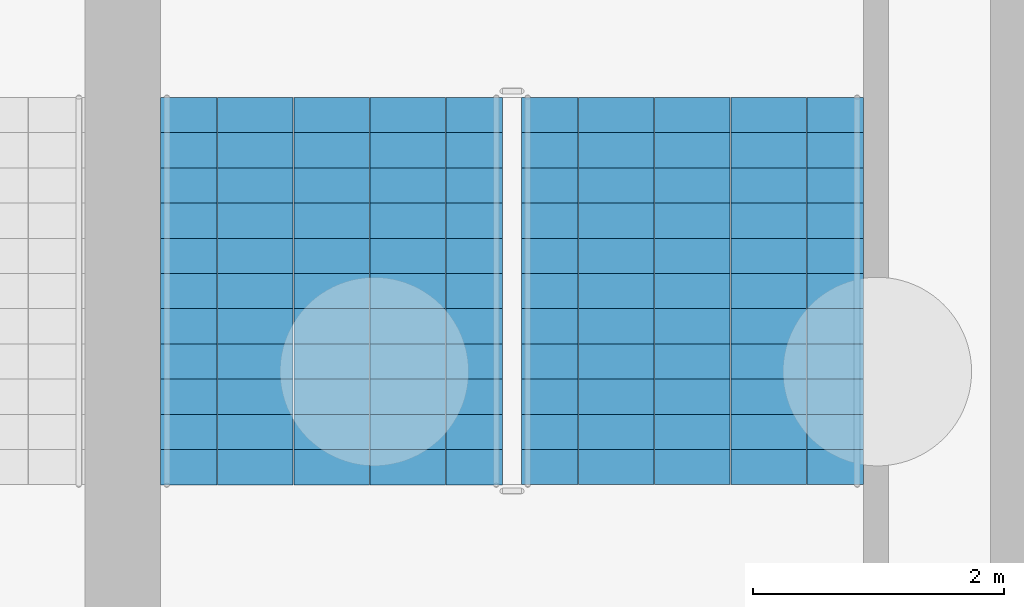
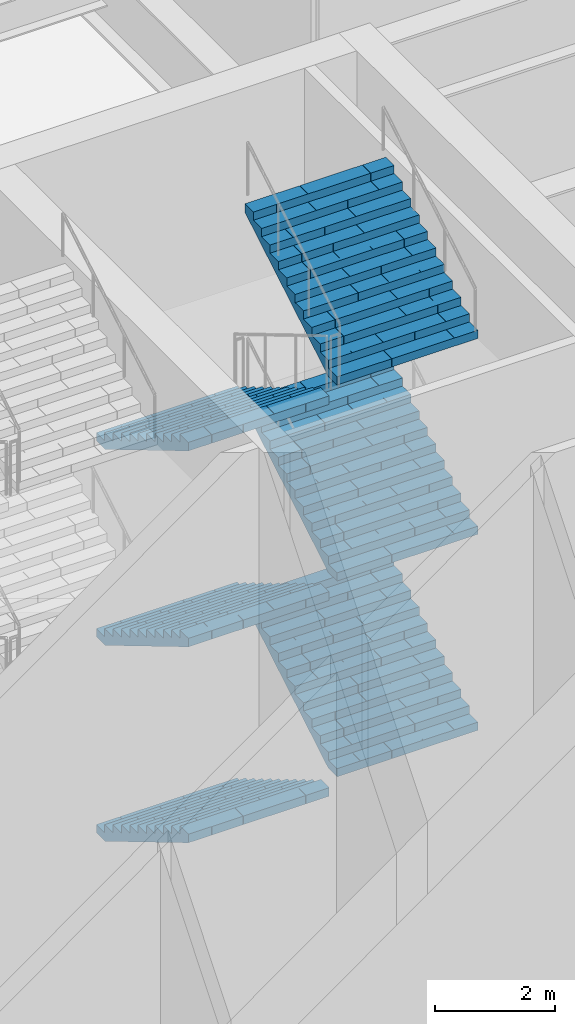
# One storey, part 13 of 34: 6 stair flights, 1 element without a shape of its own.
"""IFC4 building model written with IfcOpenShell, lengths in metres."""

from ifc_helpers import new_model, si_unit, direction, frame, origin, place, context, subcontext, project, spatial, polyline, outline, extrude, material, type_object, element, aggregate, save


model = new_model("IFC4")

# Units and contexts
model_context = context("Model", 3, precision=1e-05, world=origin(), true_north=direction((0.0, 1.0)))
body_context = subcontext(model_context, "Body", "Model", "MODEL_VIEW")
ifc_project = project(units=[si_unit("LENGTHUNIT", "METRE"), si_unit("AREAUNIT", "SQUARE_METRE"), si_unit("VOLUMEUNIT", "CUBIC_METRE"), si_unit("PLANEANGLEUNIT", "RADIAN"), si_unit("MASSUNIT", "GRAM", prefix="KILO")], contexts=[model_context])

# Site, building, storey
site_placement = place(None, origin())
site = spatial("IfcSite", under=ifc_project, at=site_placement, CompositionType="ELEMENT")
building_placement = place(site_placement, origin())
building = spatial("IfcBuilding", under=site, at=building_placement, Name="Corbelhall Arena Tower", CompositionType="ELEMENT")
storey_placement = place(building_placement, origin())
storey = spatial("IfcBuildingStorey", under=building, at=storey_placement, Name="L00", CompositionType="ELEMENT", Elevation=0.0)

# Stair, stair flights
ifc_material = material(Name="Reinforced concrete C40/50", Category="concrete")
stair_type = type_object("IfcStairType", Name="AR-EXIT-STAIR", PredefinedType="HALF_TURN_STAIR", material=ifc_material)
stair_placement = place(storey_placement, origin())
stair = element("IfcStair", 1, at=stair_placement, inside=storey, type_object=stair_type, Name="L00 exit stair AS7", PredefinedType="HALF_TURN_STAIR")
stair_flight_type = type_object("IfcStairFlightType", Name="AR-EXIT-FLIGHT", PredefinedType="STRAIGHT", material=ifc_material)
stair_flight_1_placement = place(storey_placement, frame((-38.840087890625, -27.320068359375, 0.0), z_axis=(0.0, 0.0, 1.0), x_axis=(0.0, -1.0, 0.0)))
stair_flight_1 = element("IfcStairFlight", 2, at=stair_flight_1_placement, type_object=stair_flight_type, Name="AS7 flight 1", NumberOfRisers=12, NumberOfTreads=11, PredefinedType="STRAIGHT", RiserHeight=0.166666667, TreadLength=0.28, context=body_context, shape_type="SweptSolid", body=[
    extrude(outline(polyline([(0.0, 0.0), (0.0, 0.166748046875), (0.280029296875, 0.166748046875), (0.280029296875, 0.333251953125), (0.56005859375, 0.333251953125), (0.56005859375, 0.5), (0.840087890625, 0.5), (0.840087890625, 0.666748046875), (1.1201171875, 0.666748046875), (1.1201171875, 0.833251953125), (1.39990234375, 0.833251953125), (1.39990234375, 1.0), (1.679931640625, 1.0), (1.679931640625, 1.166748046875), (1.9599609375, 1.166748046875), (1.9599609375, 1.333251953125), (2.239990234375, 1.333251953125), (2.239990234375, 1.5), (2.52001953125, 1.5), (2.52001953125, 1.666748046875), (2.800048828125, 1.666748046875), (2.800048828125, 1.833251953125), (3.080078125, 1.833251953125), (3.080078125, 2.0), (3.080078125, 1.658935546875), (0.29296875, 0.0), (0.0, 0.0)])), frame((0.0, 1.35986328125, 0.0), z_axis=(0.0, -1.0, 0.0), x_axis=(1.0, 0.0, 0.0)), (0.0, 0.0, 1.0), 0.449951171875),
    extrude(outline(polyline([(0.0, 0.0), (0.0, 0.166748046875), (0.280029296875, 0.166748046875), (0.280029296875, 0.333251953125), (0.56005859375, 0.333251953125), (0.56005859375, 0.5), (0.840087890625, 0.5), (0.840087890625, 0.666748046875), (1.1201171875, 0.666748046875), (1.1201171875, 0.833251953125), (1.39990234375, 0.833251953125), (1.39990234375, 1.0), (1.679931640625, 1.0), (1.679931640625, 1.166748046875), (1.9599609375, 1.166748046875), (1.9599609375, 1.333251953125), (2.239990234375, 1.333251953125), (2.239990234375, 1.5), (2.52001953125, 1.5), (2.52001953125, 1.666748046875), (2.800048828125, 1.666748046875), (2.800048828125, 1.833251953125), (3.080078125, 1.833251953125), (3.080078125, 2.0), (3.080078125, 1.658935546875), (0.29296875, 0.0), (0.0, 0.0)])), frame((0.0, 0.906005859375, 0.0), z_axis=(0.0, -1.0, 0.0), x_axis=(1.0, 0.0, 0.0)), (0.0, 0.0, 1.0), 0.601318359375),
    extrude(outline(polyline([(0.0, 0.0), (0.0, 0.166748046875), (0.280029296875, 0.166748046875), (0.280029296875, 0.333251953125), (0.56005859375, 0.333251953125), (0.56005859375, 0.5), (0.840087890625, 0.5), (0.840087890625, 0.666748046875), (1.1201171875, 0.666748046875), (1.1201171875, 0.833251953125), (1.39990234375, 0.833251953125), (1.39990234375, 1.0), (1.679931640625, 1.0), (1.679931640625, 1.166748046875), (1.9599609375, 1.166748046875), (1.9599609375, 1.333251953125), (2.239990234375, 1.333251953125), (2.239990234375, 1.5), (2.52001953125, 1.5), (2.52001953125, 1.666748046875), (2.800048828125, 1.666748046875), (2.800048828125, 1.833251953125), (3.080078125, 1.833251953125), (3.080078125, 2.0), (3.080078125, 1.658935546875), (0.29296875, 0.0), (0.0, 0.0)])), frame((0.0, 0.30078125, 0.0), z_axis=(0.0, -1.0, 0.0), x_axis=(1.0, 0.0, 0.0)), (0.0, 0.0, 1.0), 0.601318359375),
    extrude(outline(polyline([(0.0, 0.0), (0.0, 0.166748046875), (0.280029296875, 0.166748046875), (0.280029296875, 0.333251953125), (0.56005859375, 0.333251953125), (0.56005859375, 0.5), (0.840087890625, 0.5), (0.840087890625, 0.666748046875), (1.1201171875, 0.666748046875), (1.1201171875, 0.833251953125), (1.39990234375, 0.833251953125), (1.39990234375, 1.0), (1.679931640625, 1.0), (1.679931640625, 1.166748046875), (1.9599609375, 1.166748046875), (1.9599609375, 1.333251953125), (2.239990234375, 1.333251953125), (2.239990234375, 1.5), (2.52001953125, 1.5), (2.52001953125, 1.666748046875), (2.800048828125, 1.666748046875), (2.800048828125, 1.833251953125), (3.080078125, 1.833251953125), (3.080078125, 2.0), (3.080078125, 1.658935546875), (0.29296875, 0.0), (0.0, 0.0)])), frame((0.0, -0.3046875, 0.0), z_axis=(0.0, -1.0, 0.0), x_axis=(1.0, 0.0, 0.0)), (0.0, 0.0, 1.0), 0.601318359375),
    extrude(outline(polyline([(0.0, 0.0), (0.0, 0.166748046875), (0.280029296875, 0.166748046875), (0.280029296875, 0.333251953125), (0.56005859375, 0.333251953125), (0.56005859375, 0.5), (0.840087890625, 0.5), (0.840087890625, 0.666748046875), (1.1201171875, 0.666748046875), (1.1201171875, 0.833251953125), (1.39990234375, 0.833251953125), (1.39990234375, 1.0), (1.679931640625, 1.0), (1.679931640625, 1.166748046875), (1.9599609375, 1.166748046875), (1.9599609375, 1.333251953125), (2.239990234375, 1.333251953125), (2.239990234375, 1.5), (2.52001953125, 1.5), (2.52001953125, 1.666748046875), (2.800048828125, 1.666748046875), (2.800048828125, 1.833251953125), (3.080078125, 1.833251953125), (3.080078125, 2.0), (3.080078125, 1.658935546875), (0.29296875, 0.0), (0.0, 0.0)])), frame((0.0, -0.909912109375, 0.0), z_axis=(0.0, -1.0, 0.0), x_axis=(1.0, 0.0, 0.0)), (0.0, 0.0, 1.0), 0.449951171875),
])
stair_flight_2_placement = place(storey_placement, frame((-35.969970703125, -30.39990234375, 2.0), z_axis=(0.0, 0.0, 1.0), x_axis=(0.0, 1.0, 0.0)))
stair_flight_2 = element("IfcStairFlight", 3, at=stair_flight_2_placement, type_object=stair_flight_type, Name="AS7 flight 2", NumberOfRisers=12, NumberOfTreads=11, PredefinedType="STRAIGHT", RiserHeight=0.166666667, TreadLength=0.28, context=body_context, shape_type="SweptSolid", body=[
    extrude(outline(polyline([(0.0, 0.0), (0.0, 0.166748046875), (0.280029296875, 0.166748046875), (0.280029296875, 0.333251953125), (0.56005859375, 0.333251953125), (0.56005859375, 0.5), (0.840087890625, 0.5), (0.840087890625, 0.666748046875), (1.1201171875, 0.666748046875), (1.1201171875, 0.833251953125), (1.39990234375, 0.833251953125), (1.39990234375, 1.0), (1.679931640625, 1.0), (1.679931640625, 1.166748046875), (1.9599609375, 1.166748046875), (1.9599609375, 1.333251953125), (2.239990234375, 1.333251953125), (2.239990234375, 1.5), (2.52001953125, 1.5), (2.52001953125, 1.666748046875), (2.800048828125, 1.666748046875), (2.800048828125, 1.833251953125), (3.080078125, 1.833251953125), (3.080078125, 2.0), (3.080078125, 1.658935546875), (0.29296875, 0.0), (0.0, 0.0)])), frame((0.0, 1.35986328125, 0.0), z_axis=(0.0, -1.0, 0.0), x_axis=(1.0, 0.0, 0.0)), (0.0, 0.0, 1.0), 0.449951171875),
    extrude(outline(polyline([(0.0, 0.0), (0.0, 0.166748046875), (0.280029296875, 0.166748046875), (0.280029296875, 0.333251953125), (0.56005859375, 0.333251953125), (0.56005859375, 0.5), (0.840087890625, 0.5), (0.840087890625, 0.666748046875), (1.1201171875, 0.666748046875), (1.1201171875, 0.833251953125), (1.39990234375, 0.833251953125), (1.39990234375, 1.0), (1.679931640625, 1.0), (1.679931640625, 1.166748046875), (1.9599609375, 1.166748046875), (1.9599609375, 1.333251953125), (2.239990234375, 1.333251953125), (2.239990234375, 1.5), (2.52001953125, 1.5), (2.52001953125, 1.666748046875), (2.800048828125, 1.666748046875), (2.800048828125, 1.833251953125), (3.080078125, 1.833251953125), (3.080078125, 2.0), (3.080078125, 1.658935546875), (0.29296875, 0.0), (0.0, 0.0)])), frame((0.0, 0.906005859375, 0.0), z_axis=(0.0, -1.0, 0.0), x_axis=(1.0, 0.0, 0.0)), (0.0, 0.0, 1.0), 0.601318359375),
    extrude(outline(polyline([(0.0, 0.0), (0.0, 0.166748046875), (0.280029296875, 0.166748046875), (0.280029296875, 0.333251953125), (0.56005859375, 0.333251953125), (0.56005859375, 0.5), (0.840087890625, 0.5), (0.840087890625, 0.666748046875), (1.1201171875, 0.666748046875), (1.1201171875, 0.833251953125), (1.39990234375, 0.833251953125), (1.39990234375, 1.0), (1.679931640625, 1.0), (1.679931640625, 1.166748046875), (1.9599609375, 1.166748046875), (1.9599609375, 1.333251953125), (2.239990234375, 1.333251953125), (2.239990234375, 1.5), (2.52001953125, 1.5), (2.52001953125, 1.666748046875), (2.800048828125, 1.666748046875), (2.800048828125, 1.833251953125), (3.080078125, 1.833251953125), (3.080078125, 2.0), (3.080078125, 1.658935546875), (0.29296875, 0.0), (0.0, 0.0)])), frame((0.0, 0.30078125, 0.0), z_axis=(0.0, -1.0, 0.0), x_axis=(1.0, 0.0, 0.0)), (0.0, 0.0, 1.0), 0.601318359375),
    extrude(outline(polyline([(0.0, 0.0), (0.0, 0.166748046875), (0.280029296875, 0.166748046875), (0.280029296875, 0.333251953125), (0.56005859375, 0.333251953125), (0.56005859375, 0.5), (0.840087890625, 0.5), (0.840087890625, 0.666748046875), (1.1201171875, 0.666748046875), (1.1201171875, 0.833251953125), (1.39990234375, 0.833251953125), (1.39990234375, 1.0), (1.679931640625, 1.0), (1.679931640625, 1.166748046875), (1.9599609375, 1.166748046875), (1.9599609375, 1.333251953125), (2.239990234375, 1.333251953125), (2.239990234375, 1.5), (2.52001953125, 1.5), (2.52001953125, 1.666748046875), (2.800048828125, 1.666748046875), (2.800048828125, 1.833251953125), (3.080078125, 1.833251953125), (3.080078125, 2.0), (3.080078125, 1.658935546875), (0.29296875, 0.0), (0.0, 0.0)])), frame((0.0, -0.3046875, 0.0), z_axis=(0.0, -1.0, 0.0), x_axis=(1.0, 0.0, 0.0)), (0.0, 0.0, 1.0), 0.601318359375),
    extrude(outline(polyline([(0.0, 0.0), (0.0, 0.166748046875), (0.280029296875, 0.166748046875), (0.280029296875, 0.333251953125), (0.56005859375, 0.333251953125), (0.56005859375, 0.5), (0.840087890625, 0.5), (0.840087890625, 0.666748046875), (1.1201171875, 0.666748046875), (1.1201171875, 0.833251953125), (1.39990234375, 0.833251953125), (1.39990234375, 1.0), (1.679931640625, 1.0), (1.679931640625, 1.166748046875), (1.9599609375, 1.166748046875), (1.9599609375, 1.333251953125), (2.239990234375, 1.333251953125), (2.239990234375, 1.5), (2.52001953125, 1.5), (2.52001953125, 1.666748046875), (2.800048828125, 1.666748046875), (2.800048828125, 1.833251953125), (3.080078125, 1.833251953125), (3.080078125, 2.0), (3.080078125, 1.658935546875), (0.29296875, 0.0), (0.0, 0.0)])), frame((0.0, -0.909912109375, 0.0), z_axis=(0.0, -1.0, 0.0), x_axis=(1.0, 0.0, 0.0)), (0.0, 0.0, 1.0), 0.449951171875),
])
stair_flight_3_placement = place(storey_placement, frame((-38.840087890625, -27.320068359375, 4.0), z_axis=(0.0, 0.0, 1.0), x_axis=(0.0, -1.0, 0.0)))
stair_flight_3 = element("IfcStairFlight", 4, at=stair_flight_3_placement, type_object=stair_flight_type, Name="AS7 flight 3", NumberOfRisers=12, NumberOfTreads=11, PredefinedType="STRAIGHT", RiserHeight=0.166666667, TreadLength=0.28, context=body_context, shape_type="SweptSolid", body=[
    extrude(outline(polyline([(0.0, 0.0), (0.0, 0.166748046875), (0.280029296875, 0.166748046875), (0.280029296875, 0.333251953125), (0.56005859375, 0.333251953125), (0.56005859375, 0.5), (0.840087890625, 0.5), (0.840087890625, 0.666748046875), (1.1201171875, 0.666748046875), (1.1201171875, 0.833251953125), (1.39990234375, 0.833251953125), (1.39990234375, 1.0), (1.679931640625, 1.0), (1.679931640625, 1.166748046875), (1.9599609375, 1.166748046875), (1.9599609375, 1.333251953125), (2.239990234375, 1.333251953125), (2.239990234375, 1.5), (2.52001953125, 1.5), (2.52001953125, 1.666748046875), (2.800048828125, 1.666748046875), (2.800048828125, 1.833251953125), (3.080078125, 1.833251953125), (3.080078125, 2.0), (3.080078125, 1.658935546875), (0.29296875, 0.0), (0.0, 0.0)])), frame((0.0, 1.35986328125, 0.0), z_axis=(0.0, -1.0, 0.0), x_axis=(1.0, 0.0, 0.0)), (0.0, 0.0, 1.0), 0.449951171875),
    extrude(outline(polyline([(0.0, 0.0), (0.0, 0.166748046875), (0.280029296875, 0.166748046875), (0.280029296875, 0.333251953125), (0.56005859375, 0.333251953125), (0.56005859375, 0.5), (0.840087890625, 0.5), (0.840087890625, 0.666748046875), (1.1201171875, 0.666748046875), (1.1201171875, 0.833251953125), (1.39990234375, 0.833251953125), (1.39990234375, 1.0), (1.679931640625, 1.0), (1.679931640625, 1.166748046875), (1.9599609375, 1.166748046875), (1.9599609375, 1.333251953125), (2.239990234375, 1.333251953125), (2.239990234375, 1.5), (2.52001953125, 1.5), (2.52001953125, 1.666748046875), (2.800048828125, 1.666748046875), (2.800048828125, 1.833251953125), (3.080078125, 1.833251953125), (3.080078125, 2.0), (3.080078125, 1.658935546875), (0.29296875, 0.0), (0.0, 0.0)])), frame((0.0, 0.906005859375, 0.0), z_axis=(0.0, -1.0, 0.0), x_axis=(1.0, 0.0, 0.0)), (0.0, 0.0, 1.0), 0.601318359375),
    extrude(outline(polyline([(0.0, 0.0), (0.0, 0.166748046875), (0.280029296875, 0.166748046875), (0.280029296875, 0.333251953125), (0.56005859375, 0.333251953125), (0.56005859375, 0.5), (0.840087890625, 0.5), (0.840087890625, 0.666748046875), (1.1201171875, 0.666748046875), (1.1201171875, 0.833251953125), (1.39990234375, 0.833251953125), (1.39990234375, 1.0), (1.679931640625, 1.0), (1.679931640625, 1.166748046875), (1.9599609375, 1.166748046875), (1.9599609375, 1.333251953125), (2.239990234375, 1.333251953125), (2.239990234375, 1.5), (2.52001953125, 1.5), (2.52001953125, 1.666748046875), (2.800048828125, 1.666748046875), (2.800048828125, 1.833251953125), (3.080078125, 1.833251953125), (3.080078125, 2.0), (3.080078125, 1.658935546875), (0.29296875, 0.0), (0.0, 0.0)])), frame((0.0, 0.30078125, 0.0), z_axis=(0.0, -1.0, 0.0), x_axis=(1.0, 0.0, 0.0)), (0.0, 0.0, 1.0), 0.601318359375),
    extrude(outline(polyline([(0.0, 0.0), (0.0, 0.166748046875), (0.280029296875, 0.166748046875), (0.280029296875, 0.333251953125), (0.56005859375, 0.333251953125), (0.56005859375, 0.5), (0.840087890625, 0.5), (0.840087890625, 0.666748046875), (1.1201171875, 0.666748046875), (1.1201171875, 0.833251953125), (1.39990234375, 0.833251953125), (1.39990234375, 1.0), (1.679931640625, 1.0), (1.679931640625, 1.166748046875), (1.9599609375, 1.166748046875), (1.9599609375, 1.333251953125), (2.239990234375, 1.333251953125), (2.239990234375, 1.5), (2.52001953125, 1.5), (2.52001953125, 1.666748046875), (2.800048828125, 1.666748046875), (2.800048828125, 1.833251953125), (3.080078125, 1.833251953125), (3.080078125, 2.0), (3.080078125, 1.658935546875), (0.29296875, 0.0), (0.0, 0.0)])), frame((0.0, -0.3046875, 0.0), z_axis=(0.0, -1.0, 0.0), x_axis=(1.0, 0.0, 0.0)), (0.0, 0.0, 1.0), 0.601318359375),
    extrude(outline(polyline([(0.0, 0.0), (0.0, 0.166748046875), (0.280029296875, 0.166748046875), (0.280029296875, 0.333251953125), (0.56005859375, 0.333251953125), (0.56005859375, 0.5), (0.840087890625, 0.5), (0.840087890625, 0.666748046875), (1.1201171875, 0.666748046875), (1.1201171875, 0.833251953125), (1.39990234375, 0.833251953125), (1.39990234375, 1.0), (1.679931640625, 1.0), (1.679931640625, 1.166748046875), (1.9599609375, 1.166748046875), (1.9599609375, 1.333251953125), (2.239990234375, 1.333251953125), (2.239990234375, 1.5), (2.52001953125, 1.5), (2.52001953125, 1.666748046875), (2.800048828125, 1.666748046875), (2.800048828125, 1.833251953125), (3.080078125, 1.833251953125), (3.080078125, 2.0), (3.080078125, 1.658935546875), (0.29296875, 0.0), (0.0, 0.0)])), frame((0.0, -0.909912109375, 0.0), z_axis=(0.0, -1.0, 0.0), x_axis=(1.0, 0.0, 0.0)), (0.0, 0.0, 1.0), 0.449951171875),
])
stair_flight_4_placement = place(storey_placement, frame((-35.969970703125, -30.39990234375, 6.0), z_axis=(0.0, 0.0, 1.0), x_axis=(0.0, 1.0, 0.0)))
stair_flight_4 = element("IfcStairFlight", 5, at=stair_flight_4_placement, type_object=stair_flight_type, Name="AS7 flight 4", NumberOfRisers=12, NumberOfTreads=11, PredefinedType="STRAIGHT", RiserHeight=0.166666667, TreadLength=0.28, context=body_context, shape_type="SweptSolid", body=[
    extrude(outline(polyline([(0.0, 0.0), (0.0, 0.166748046875), (0.280029296875, 0.166748046875), (0.280029296875, 0.333251953125), (0.56005859375, 0.333251953125), (0.56005859375, 0.5), (0.840087890625, 0.5), (0.840087890625, 0.666748046875), (1.1201171875, 0.666748046875), (1.1201171875, 0.833251953125), (1.39990234375, 0.833251953125), (1.39990234375, 1.0), (1.679931640625, 1.0), (1.679931640625, 1.166748046875), (1.9599609375, 1.166748046875), (1.9599609375, 1.333251953125), (2.239990234375, 1.333251953125), (2.239990234375, 1.5), (2.52001953125, 1.5), (2.52001953125, 1.666748046875), (2.800048828125, 1.666748046875), (2.800048828125, 1.833251953125), (3.080078125, 1.833251953125), (3.080078125, 2.0), (3.080078125, 1.658935546875), (0.29296875, 0.0), (0.0, 0.0)])), frame((0.0, 1.35986328125, 0.0), z_axis=(0.0, -1.0, 0.0), x_axis=(1.0, 0.0, 0.0)), (0.0, 0.0, 1.0), 0.449951171875),
    extrude(outline(polyline([(0.0, 0.0), (0.0, 0.166748046875), (0.280029296875, 0.166748046875), (0.280029296875, 0.333251953125), (0.56005859375, 0.333251953125), (0.56005859375, 0.5), (0.840087890625, 0.5), (0.840087890625, 0.666748046875), (1.1201171875, 0.666748046875), (1.1201171875, 0.833251953125), (1.39990234375, 0.833251953125), (1.39990234375, 1.0), (1.679931640625, 1.0), (1.679931640625, 1.166748046875), (1.9599609375, 1.166748046875), (1.9599609375, 1.333251953125), (2.239990234375, 1.333251953125), (2.239990234375, 1.5), (2.52001953125, 1.5), (2.52001953125, 1.666748046875), (2.800048828125, 1.666748046875), (2.800048828125, 1.833251953125), (3.080078125, 1.833251953125), (3.080078125, 2.0), (3.080078125, 1.658935546875), (0.29296875, 0.0), (0.0, 0.0)])), frame((0.0, 0.906005859375, 0.0), z_axis=(0.0, -1.0, 0.0), x_axis=(1.0, 0.0, 0.0)), (0.0, 0.0, 1.0), 0.601318359375),
    extrude(outline(polyline([(0.0, 0.0), (0.0, 0.166748046875), (0.280029296875, 0.166748046875), (0.280029296875, 0.333251953125), (0.56005859375, 0.333251953125), (0.56005859375, 0.5), (0.840087890625, 0.5), (0.840087890625, 0.666748046875), (1.1201171875, 0.666748046875), (1.1201171875, 0.833251953125), (1.39990234375, 0.833251953125), (1.39990234375, 1.0), (1.679931640625, 1.0), (1.679931640625, 1.166748046875), (1.9599609375, 1.166748046875), (1.9599609375, 1.333251953125), (2.239990234375, 1.333251953125), (2.239990234375, 1.5), (2.52001953125, 1.5), (2.52001953125, 1.666748046875), (2.800048828125, 1.666748046875), (2.800048828125, 1.833251953125), (3.080078125, 1.833251953125), (3.080078125, 2.0), (3.080078125, 1.658935546875), (0.29296875, 0.0), (0.0, 0.0)])), frame((0.0, 0.30078125, 0.0), z_axis=(0.0, -1.0, 0.0), x_axis=(1.0, 0.0, 0.0)), (0.0, 0.0, 1.0), 0.601318359375),
    extrude(outline(polyline([(0.0, 0.0), (0.0, 0.166748046875), (0.280029296875, 0.166748046875), (0.280029296875, 0.333251953125), (0.56005859375, 0.333251953125), (0.56005859375, 0.5), (0.840087890625, 0.5), (0.840087890625, 0.666748046875), (1.1201171875, 0.666748046875), (1.1201171875, 0.833251953125), (1.39990234375, 0.833251953125), (1.39990234375, 1.0), (1.679931640625, 1.0), (1.679931640625, 1.166748046875), (1.9599609375, 1.166748046875), (1.9599609375, 1.333251953125), (2.239990234375, 1.333251953125), (2.239990234375, 1.5), (2.52001953125, 1.5), (2.52001953125, 1.666748046875), (2.800048828125, 1.666748046875), (2.800048828125, 1.833251953125), (3.080078125, 1.833251953125), (3.080078125, 2.0), (3.080078125, 1.658935546875), (0.29296875, 0.0), (0.0, 0.0)])), frame((0.0, -0.3046875, 0.0), z_axis=(0.0, -1.0, 0.0), x_axis=(1.0, 0.0, 0.0)), (0.0, 0.0, 1.0), 0.601318359375),
    extrude(outline(polyline([(0.0, 0.0), (0.0, 0.166748046875), (0.280029296875, 0.166748046875), (0.280029296875, 0.333251953125), (0.56005859375, 0.333251953125), (0.56005859375, 0.5), (0.840087890625, 0.5), (0.840087890625, 0.666748046875), (1.1201171875, 0.666748046875), (1.1201171875, 0.833251953125), (1.39990234375, 0.833251953125), (1.39990234375, 1.0), (1.679931640625, 1.0), (1.679931640625, 1.166748046875), (1.9599609375, 1.166748046875), (1.9599609375, 1.333251953125), (2.239990234375, 1.333251953125), (2.239990234375, 1.5), (2.52001953125, 1.5), (2.52001953125, 1.666748046875), (2.800048828125, 1.666748046875), (2.800048828125, 1.833251953125), (3.080078125, 1.833251953125), (3.080078125, 2.0), (3.080078125, 1.658935546875), (0.29296875, 0.0), (0.0, 0.0)])), frame((0.0, -0.909912109375, 0.0), z_axis=(0.0, -1.0, 0.0), x_axis=(1.0, 0.0, 0.0)), (0.0, 0.0, 1.0), 0.449951171875),
])
stair_flight_5_placement = place(storey_placement, frame((-38.840087890625, -27.320068359375, 8.0), z_axis=(0.0, 0.0, 1.0), x_axis=(0.0, -1.0, 0.0)))
stair_flight_5 = element("IfcStairFlight", 6, at=stair_flight_5_placement, type_object=stair_flight_type, Name="AS7 flight 5", NumberOfRisers=12, NumberOfTreads=11, PredefinedType="STRAIGHT", RiserHeight=0.166666667, TreadLength=0.28, context=body_context, shape_type="SweptSolid", body=[
    extrude(outline(polyline([(0.0, 0.0), (0.0, 0.166748046875), (0.280029296875, 0.166748046875), (0.280029296875, 0.333251953125), (0.56005859375, 0.333251953125), (0.56005859375, 0.5), (0.840087890625, 0.5), (0.840087890625, 0.666748046875), (1.1201171875, 0.666748046875), (1.1201171875, 0.833251953125), (1.39990234375, 0.833251953125), (1.39990234375, 1.0), (1.679931640625, 1.0), (1.679931640625, 1.166748046875), (1.9599609375, 1.166748046875), (1.9599609375, 1.333251953125), (2.239990234375, 1.333251953125), (2.239990234375, 1.5), (2.52001953125, 1.5), (2.52001953125, 1.666748046875), (2.800048828125, 1.666748046875), (2.800048828125, 1.833251953125), (3.080078125, 1.833251953125), (3.080078125, 2.0), (3.080078125, 1.658935546875), (0.29296875, 0.0), (0.0, 0.0)])), frame((0.0, 1.35986328125, 0.0), z_axis=(0.0, -1.0, 0.0), x_axis=(1.0, 0.0, 0.0)), (0.0, 0.0, 1.0), 0.449951171875),
    extrude(outline(polyline([(0.0, 0.0), (0.0, 0.166748046875), (0.280029296875, 0.166748046875), (0.280029296875, 0.333251953125), (0.56005859375, 0.333251953125), (0.56005859375, 0.5), (0.840087890625, 0.5), (0.840087890625, 0.666748046875), (1.1201171875, 0.666748046875), (1.1201171875, 0.833251953125), (1.39990234375, 0.833251953125), (1.39990234375, 1.0), (1.679931640625, 1.0), (1.679931640625, 1.166748046875), (1.9599609375, 1.166748046875), (1.9599609375, 1.333251953125), (2.239990234375, 1.333251953125), (2.239990234375, 1.5), (2.52001953125, 1.5), (2.52001953125, 1.666748046875), (2.800048828125, 1.666748046875), (2.800048828125, 1.833251953125), (3.080078125, 1.833251953125), (3.080078125, 2.0), (3.080078125, 1.658935546875), (0.29296875, 0.0), (0.0, 0.0)])), frame((0.0, 0.906005859375, 0.0), z_axis=(0.0, -1.0, 0.0), x_axis=(1.0, 0.0, 0.0)), (0.0, 0.0, 1.0), 0.601318359375),
    extrude(outline(polyline([(0.0, 0.0), (0.0, 0.166748046875), (0.280029296875, 0.166748046875), (0.280029296875, 0.333251953125), (0.56005859375, 0.333251953125), (0.56005859375, 0.5), (0.840087890625, 0.5), (0.840087890625, 0.666748046875), (1.1201171875, 0.666748046875), (1.1201171875, 0.833251953125), (1.39990234375, 0.833251953125), (1.39990234375, 1.0), (1.679931640625, 1.0), (1.679931640625, 1.166748046875), (1.9599609375, 1.166748046875), (1.9599609375, 1.333251953125), (2.239990234375, 1.333251953125), (2.239990234375, 1.5), (2.52001953125, 1.5), (2.52001953125, 1.666748046875), (2.800048828125, 1.666748046875), (2.800048828125, 1.833251953125), (3.080078125, 1.833251953125), (3.080078125, 2.0), (3.080078125, 1.658935546875), (0.29296875, 0.0), (0.0, 0.0)])), frame((0.0, 0.30078125, 0.0), z_axis=(0.0, -1.0, 0.0), x_axis=(1.0, 0.0, 0.0)), (0.0, 0.0, 1.0), 0.601318359375),
    extrude(outline(polyline([(0.0, 0.0), (0.0, 0.166748046875), (0.280029296875, 0.166748046875), (0.280029296875, 0.333251953125), (0.56005859375, 0.333251953125), (0.56005859375, 0.5), (0.840087890625, 0.5), (0.840087890625, 0.666748046875), (1.1201171875, 0.666748046875), (1.1201171875, 0.833251953125), (1.39990234375, 0.833251953125), (1.39990234375, 1.0), (1.679931640625, 1.0), (1.679931640625, 1.166748046875), (1.9599609375, 1.166748046875), (1.9599609375, 1.333251953125), (2.239990234375, 1.333251953125), (2.239990234375, 1.5), (2.52001953125, 1.5), (2.52001953125, 1.666748046875), (2.800048828125, 1.666748046875), (2.800048828125, 1.833251953125), (3.080078125, 1.833251953125), (3.080078125, 2.0), (3.080078125, 1.658935546875), (0.29296875, 0.0), (0.0, 0.0)])), frame((0.0, -0.3046875, 0.0), z_axis=(0.0, -1.0, 0.0), x_axis=(1.0, 0.0, 0.0)), (0.0, 0.0, 1.0), 0.601318359375),
    extrude(outline(polyline([(0.0, 0.0), (0.0, 0.166748046875), (0.280029296875, 0.166748046875), (0.280029296875, 0.333251953125), (0.56005859375, 0.333251953125), (0.56005859375, 0.5), (0.840087890625, 0.5), (0.840087890625, 0.666748046875), (1.1201171875, 0.666748046875), (1.1201171875, 0.833251953125), (1.39990234375, 0.833251953125), (1.39990234375, 1.0), (1.679931640625, 1.0), (1.679931640625, 1.166748046875), (1.9599609375, 1.166748046875), (1.9599609375, 1.333251953125), (2.239990234375, 1.333251953125), (2.239990234375, 1.5), (2.52001953125, 1.5), (2.52001953125, 1.666748046875), (2.800048828125, 1.666748046875), (2.800048828125, 1.833251953125), (3.080078125, 1.833251953125), (3.080078125, 2.0), (3.080078125, 1.658935546875), (0.29296875, 0.0), (0.0, 0.0)])), frame((0.0, -0.909912109375, 0.0), z_axis=(0.0, -1.0, 0.0), x_axis=(1.0, 0.0, 0.0)), (0.0, 0.0, 1.0), 0.449951171875),
])
stair_flight_6_placement = place(storey_placement, frame((-35.969970703125, -30.39990234375, 10.0), z_axis=(0.0, 0.0, 1.0), x_axis=(0.0, 1.0, 0.0)))
stair_flight_6 = element("IfcStairFlight", 7, at=stair_flight_6_placement, type_object=stair_flight_type, Name="AS7 flight 6", NumberOfRisers=12, NumberOfTreads=11, PredefinedType="STRAIGHT", RiserHeight=0.166666667, TreadLength=0.28, context=body_context, shape_type="SweptSolid", body=[
    extrude(outline(polyline([(0.0, 0.0), (0.0, 0.166748046875), (0.280029296875, 0.166748046875), (0.280029296875, 0.333251953125), (0.56005859375, 0.333251953125), (0.56005859375, 0.5), (0.840087890625, 0.5), (0.840087890625, 0.666748046875), (1.1201171875, 0.666748046875), (1.1201171875, 0.833251953125), (1.39990234375, 0.833251953125), (1.39990234375, 1.0), (1.679931640625, 1.0), (1.679931640625, 1.166748046875), (1.9599609375, 1.166748046875), (1.9599609375, 1.333251953125), (2.239990234375, 1.333251953125), (2.239990234375, 1.5), (2.52001953125, 1.5), (2.52001953125, 1.666748046875), (2.800048828125, 1.666748046875), (2.800048828125, 1.833251953125), (3.080078125, 1.833251953125), (3.080078125, 2.0), (3.080078125, 1.658935546875), (0.29296875, 0.0), (0.0, 0.0)])), frame((0.0, 1.35986328125, 0.0), z_axis=(0.0, -1.0, 0.0), x_axis=(1.0, 0.0, 0.0)), (0.0, 0.0, 1.0), 0.449951171875),
    extrude(outline(polyline([(0.0, 0.0), (0.0, 0.166748046875), (0.280029296875, 0.166748046875), (0.280029296875, 0.333251953125), (0.56005859375, 0.333251953125), (0.56005859375, 0.5), (0.840087890625, 0.5), (0.840087890625, 0.666748046875), (1.1201171875, 0.666748046875), (1.1201171875, 0.833251953125), (1.39990234375, 0.833251953125), (1.39990234375, 1.0), (1.679931640625, 1.0), (1.679931640625, 1.166748046875), (1.9599609375, 1.166748046875), (1.9599609375, 1.333251953125), (2.239990234375, 1.333251953125), (2.239990234375, 1.5), (2.52001953125, 1.5), (2.52001953125, 1.666748046875), (2.800048828125, 1.666748046875), (2.800048828125, 1.833251953125), (3.080078125, 1.833251953125), (3.080078125, 2.0), (3.080078125, 1.658935546875), (0.29296875, 0.0), (0.0, 0.0)])), frame((0.0, 0.906005859375, 0.0), z_axis=(0.0, -1.0, 0.0), x_axis=(1.0, 0.0, 0.0)), (0.0, 0.0, 1.0), 0.601318359375),
    extrude(outline(polyline([(0.0, 0.0), (0.0, 0.166748046875), (0.280029296875, 0.166748046875), (0.280029296875, 0.333251953125), (0.56005859375, 0.333251953125), (0.56005859375, 0.5), (0.840087890625, 0.5), (0.840087890625, 0.666748046875), (1.1201171875, 0.666748046875), (1.1201171875, 0.833251953125), (1.39990234375, 0.833251953125), (1.39990234375, 1.0), (1.679931640625, 1.0), (1.679931640625, 1.166748046875), (1.9599609375, 1.166748046875), (1.9599609375, 1.333251953125), (2.239990234375, 1.333251953125), (2.239990234375, 1.5), (2.52001953125, 1.5), (2.52001953125, 1.666748046875), (2.800048828125, 1.666748046875), (2.800048828125, 1.833251953125), (3.080078125, 1.833251953125), (3.080078125, 2.0), (3.080078125, 1.658935546875), (0.29296875, 0.0), (0.0, 0.0)])), frame((0.0, 0.30078125, 0.0), z_axis=(0.0, -1.0, 0.0), x_axis=(1.0, 0.0, 0.0)), (0.0, 0.0, 1.0), 0.601318359375),
    extrude(outline(polyline([(0.0, 0.0), (0.0, 0.166748046875), (0.280029296875, 0.166748046875), (0.280029296875, 0.333251953125), (0.56005859375, 0.333251953125), (0.56005859375, 0.5), (0.840087890625, 0.5), (0.840087890625, 0.666748046875), (1.1201171875, 0.666748046875), (1.1201171875, 0.833251953125), (1.39990234375, 0.833251953125), (1.39990234375, 1.0), (1.679931640625, 1.0), (1.679931640625, 1.166748046875), (1.9599609375, 1.166748046875), (1.9599609375, 1.333251953125), (2.239990234375, 1.333251953125), (2.239990234375, 1.5), (2.52001953125, 1.5), (2.52001953125, 1.666748046875), (2.800048828125, 1.666748046875), (2.800048828125, 1.833251953125), (3.080078125, 1.833251953125), (3.080078125, 2.0), (3.080078125, 1.658935546875), (0.29296875, 0.0), (0.0, 0.0)])), frame((0.0, -0.3046875, 0.0), z_axis=(0.0, -1.0, 0.0), x_axis=(1.0, 0.0, 0.0)), (0.0, 0.0, 1.0), 0.601318359375),
    extrude(outline(polyline([(0.0, 0.0), (0.0, 0.166748046875), (0.280029296875, 0.166748046875), (0.280029296875, 0.333251953125), (0.56005859375, 0.333251953125), (0.56005859375, 0.5), (0.840087890625, 0.5), (0.840087890625, 0.666748046875), (1.1201171875, 0.666748046875), (1.1201171875, 0.833251953125), (1.39990234375, 0.833251953125), (1.39990234375, 1.0), (1.679931640625, 1.0), (1.679931640625, 1.166748046875), (1.9599609375, 1.166748046875), (1.9599609375, 1.333251953125), (2.239990234375, 1.333251953125), (2.239990234375, 1.5), (2.52001953125, 1.5), (2.52001953125, 1.666748046875), (2.800048828125, 1.666748046875), (2.800048828125, 1.833251953125), (3.080078125, 1.833251953125), (3.080078125, 2.0), (3.080078125, 1.658935546875), (0.29296875, 0.0), (0.0, 0.0)])), frame((0.0, -0.909912109375, 0.0), z_axis=(0.0, -1.0, 0.0), x_axis=(1.0, 0.0, 0.0)), (0.0, 0.0, 1.0), 0.449951171875),
])
aggregate(stair, [stair_flight_1, stair_flight_2, stair_flight_3, stair_flight_4, stair_flight_5, stair_flight_6])

save(model, "model.ifc")
